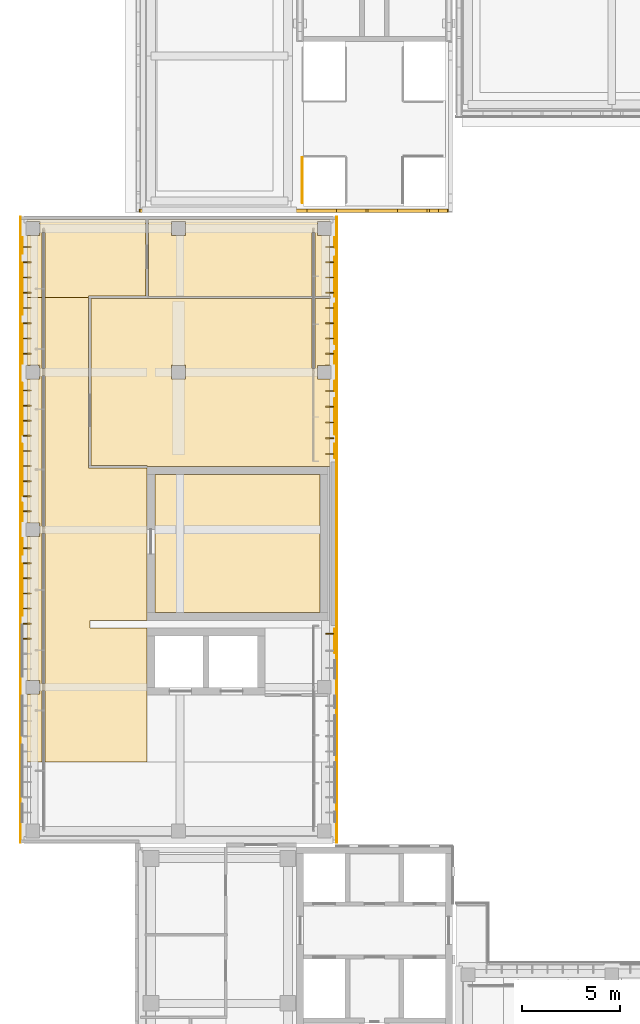
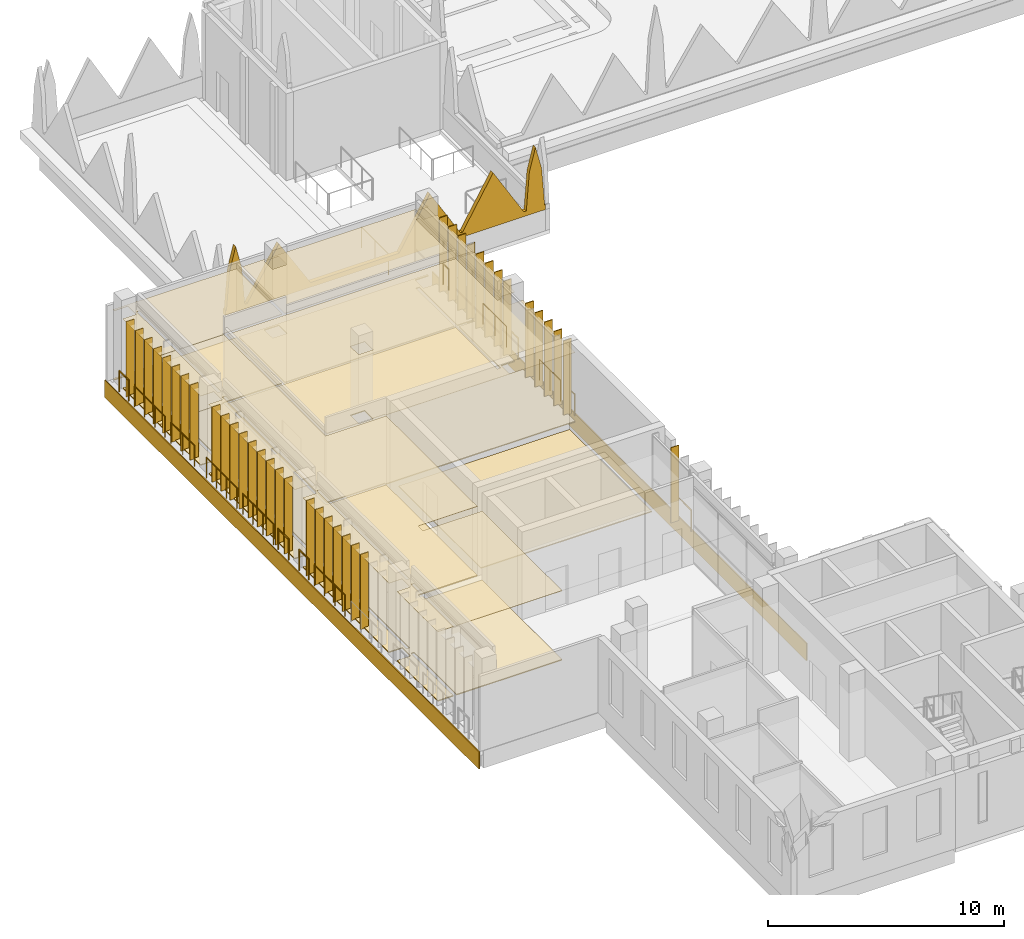
# One storey, part 36 of 46: 38 shading devices, 17 railings, 12 coverings.
"""IFC4 building model written with IfcOpenShell, lengths in metres."""

from ifc_helpers import new_model, si_unit, direction, frame, frame_2d, origin, origin_2d, place, context, subcontext, project, spatial, polyline, rectangle, circle, outline, extrude, material, layer, layer_set, type_object, element, save


model = new_model("IFC4")

# Units and contexts
model_context = context("Model", 3, precision=1e-05, world=origin(), true_north=direction((0.0, 1.0)))
body_context = subcontext(model_context, "Body", "Model", "MODEL_VIEW")
ifc_project = project(units=[si_unit("LENGTHUNIT", "METRE"), si_unit("AREAUNIT", "SQUARE_METRE"), si_unit("VOLUMEUNIT", "CUBIC_METRE"), si_unit("PLANEANGLEUNIT", "RADIAN"), si_unit("MASSUNIT", "GRAM", prefix="KILO")], contexts=[model_context])

# Site, building, storey
site_placement = place(None, origin())
site = spatial("IfcSite", under=ifc_project, at=site_placement, CompositionType="ELEMENT")
building_placement = place(site_placement, origin())
building = spatial("IfcBuilding", under=site, at=building_placement, Name="Lantern Court Media Centre", CompositionType="ELEMENT")
storey_placement = place(building_placement, frame((0.0, 0.0, 28.800048828125)))
storey = spatial("IfcBuildingStorey", under=building, at=storey_placement, Name="L06", CompositionType="ELEMENT", Elevation=28.800048828125)

# Coverings
ifc_material_1 = material(Name="Carpet")
ifc_layer_1 = layer(ifc_material_1, 0.050048828125)
ifc_layer_set_1 = layer_set([ifc_layer_1], Name="Carpet")
covering_type_1 = type_object("IfcCoveringType", Name="Carpet floor finish", PredefinedType="FLOORING", material=ifc_layer_set_1)
covering_1_placement = place(storey_placement, origin())
element("IfcCovering", 1, at=covering_1_placement, inside=storey, type_object=covering_type_1, Name="Cinema Club Bar floor finish", PredefinedType="FLOORING", context=body_context, shape_type="SweptSolid", body=[
    extrude(outline(polyline([(17.699951171875, 91.85498046875), (16.929931640625, 91.85498046875), (16.925048828125, 95.10498046875), (16.77001953125, 95.10009765625), (16.77001953125, 91.85498046875), (8.467529296875, 91.85498046875), (8.467529296875, 95.7548828125), (17.699951171875, 95.7548828125), (17.699951171875, 95.655029296875), (17.044921875, 95.64990234375), (17.04638671875, 94.946533203125), (17.699951171875, 94.945068359375), (17.699951171875, 91.85498046875)]), holes=[polyline([(10.35498046875, 95.64990234375), (9.646484375, 95.653564453125), (9.646484375, 94.946533203125), (10.353515625, 94.946533203125), (10.35498046875, 95.64990234375)])]), origin(), (0.0, 0.0, 1.0), 0.050048828125),
])
covering_2_placement = place(storey_placement, origin())
element("IfcCovering", 2, at=covering_2_placement, inside=storey, type_object=covering_type_1, Name="Film Archive floor finish", PredefinedType="FLOORING", context=body_context, shape_type="SweptSolid", body=[
    extrude(outline(polyline([(8.804931640625, 82.794921875), (17.195068359375, 82.794921875), (17.195068359375, 75.804931640625), (8.804931640625, 75.804931640625), (8.804931640625, 82.794921875)])), origin(), (0.0, 0.0, 1.0), 0.050048828125),
])
covering_3_placement = place(storey_placement, origin())
element("IfcCovering", 3, at=covering_3_placement, inside=storey, type_object=covering_type_1, Name="Premiere Lounge floor finish", PredefinedType="FLOORING", context=body_context, shape_type="SweptSolid", body=[
    extrude(outline(polyline([(17.699951171875, 83.199951171875), (8.405029296875, 83.205078125), (8.39990234375, 83.267578125), (5.5673828125, 83.267578125), (5.5673828125, 91.732421875), (16.77001953125, 91.7451171875), (16.77001953125, 88.199951171875), (16.925048828125, 88.195068359375), (16.929931640625, 91.7451171875), (17.699951171875, 91.7451171875), (17.699951171875, 88.35498046875), (17.044921875, 88.35009765625), (17.04638671875, 87.646484375), (17.699951171875, 87.64501953125), (17.699951171875, 83.199951171875)]), holes=[polyline([(10.35009765625, 87.64501953125), (10.353515625, 88.353515625), (9.646484375, 88.353515625), (9.646484375, 87.646484375), (10.35009765625, 87.64501953125)])]), origin(), (0.0, 0.0, 1.0), 0.050048828125),
])

# Railings
ifc_material_2 = material(Name="Powder-coated steel", Category="steel")
railing_type = type_object("IfcRailingType", Name="Floor edge guard 1100", PredefinedType="GUARDRAIL", material=ifc_material_2)
railing_1_placement = place(storey_placement, frame((16.2900390625, 96.60009765625, 0.0)))
element("IfcRailing", 4, at=railing_1_placement, inside=storey, type_object=railing_type, Name="L06 opening guard 157", PredefinedType="GUARDRAIL", context=body_context, shape_type="SweptSolid", body=[
    extrude(circle(Radius=0.02392578125, at=origin_2d()), frame((0.0, 0.0, 1.076171875), z_axis=(0.0, 1.0, 0.0), x_axis=(-1.0, 0.0, 0.0)), (0.0, 0.0, 1.0), 2.2998046875),
    extrude(circle(Radius=0.02099609375, at=origin_2d()), origin(), (0.0, 0.0, 1.0), 1.052001953125),
    extrude(circle(Radius=0.02099609375, at=origin_2d()), frame((0.0, 1.14990234375, 0.0)), (0.0, 0.0, 1.0), 1.052001953125),
    extrude(circle(Radius=0.02099609375, at=origin_2d()), frame((0.0, 2.2998046875, 0.0)), (0.0, 0.0, 1.0), 1.052001953125),
])
railing_2_placement = place(storey_placement, frame((2.06005859375, 75.64990234375, 0.0)))
element("IfcRailing", 5, at=railing_2_placement, inside=storey, type_object=railing_type, Name="L06 edge guard 211", PredefinedType="GUARDRAIL", context=body_context, shape_type="SweptSolid", body=[
    extrude(circle(Radius=0.02392578125, at=origin_2d()), frame((0.0, 0.0, 1.076171875), z_axis=(0.0, 1.0, 0.0), x_axis=(-1.0, 0.0, 0.0)), (0.0, 0.0, 1.0), 2.59814453125),
    extrude(circle(Radius=0.02099609375, at=origin_2d()), origin(), (0.0, 0.0, 1.0), 1.052001953125),
    extrude(circle(Radius=0.02099609375, at=origin_2d()), frame((0.0, 0.865966796875, 0.0)), (0.0, 0.0, 1.0), 1.052001953125),
    extrude(circle(Radius=0.02099609375, at=origin_2d()), frame((0.0, 1.732177734375, 0.0)), (0.0, 0.0, 1.0), 1.052001953125),
    extrude(circle(Radius=0.02099609375, at=origin_2d()), frame((0.0, 2.59814453125, 0.0)), (0.0, 0.0, 1.0), 1.052001953125),
])
railing_3_placement = place(storey_placement, frame((2.06005859375, 78.748046875, 0.0)))
element("IfcRailing", 6, at=railing_3_placement, inside=storey, type_object=railing_type, Name="L06 edge guard 212", PredefinedType="GUARDRAIL", context=body_context, shape_type="SweptSolid", body=[
    extrude(circle(Radius=0.02392578125, at=origin_2d()), frame((0.0, 0.0, 1.076171875), z_axis=(0.0, 1.0, 0.0), x_axis=(-1.0, 0.0, 0.0)), (0.0, 0.0, 1.0), 0.799072265625),
    extrude(circle(Radius=0.02099609375, at=origin_2d()), origin(), (0.0, 0.0, 1.0), 1.052001953125),
    extrude(circle(Radius=0.02099609375, at=origin_2d()), frame((0.0, 0.799072265625, 0.0)), (0.0, 0.0, 1.0), 1.052001953125),
])
railing_4_placement = place(storey_placement, frame((2.06005859375, 80.446044921875, 0.0)))
element("IfcRailing", 7, at=railing_4_placement, inside=storey, type_object=railing_type, Name="L06 edge guard 213", PredefinedType="GUARDRAIL", context=body_context, shape_type="SweptSolid", body=[
    extrude(circle(Radius=0.02392578125, at=origin_2d()), frame((0.0, 0.0, 1.076171875), z_axis=(0.0, 1.0, 0.0), x_axis=(-1.0, 0.0, 0.0)), (0.0, 0.0, 1.0), 0.89892578125),
    extrude(circle(Radius=0.02099609375, at=origin_2d()), origin(), (0.0, 0.0, 1.0), 1.052001953125),
    extrude(circle(Radius=0.02099609375, at=origin_2d()), frame((0.0, 0.89892578125, 0.0)), (0.0, 0.0, 1.0), 1.052001953125),
])
for number, where, name in (
    (8, (2.06005859375, 81.7451171875, 0.0), "L06 edge guard 214"),
    (9, (2.06005859375, 84.842041015625, 0.0), "L06 edge guard 215"),
):
    element("IfcRailing", number, at=place(storey_placement, frame(where)), inside=storey, type_object=railing_type, Name=name, PredefinedType="GUARDRAIL", context=body_context, shape_type="SweptSolid", body=[
        extrude(circle(Radius=0.02392578125, at=origin_2d()), frame((0.0, 0.0, 1.076171875), z_axis=(0.0, 1.0, 0.0), x_axis=(-1.0, 0.0, 0.0)), (0.0, 0.0, 1.0), 2.597900390625),
        extrude(circle(Radius=0.02099609375, at=origin_2d()), origin(), (0.0, 0.0, 1.0), 1.052001953125),
        extrude(circle(Radius=0.02099609375, at=origin_2d()), frame((0.0, 0.865966796875, 0.0)), (0.0, 0.0, 1.0), 1.052001953125),
        extrude(circle(Radius=0.02099609375, at=origin_2d()), frame((0.0, 1.73193359375, 0.0)), (0.0, 0.0, 1.0), 1.052001953125),
        extrude(circle(Radius=0.02099609375, at=origin_2d()), frame((0.0, 2.597900390625, 0.0)), (0.0, 0.0, 1.0), 1.052001953125),
    ])
railing_5_placement = place(storey_placement, frame((2.06005859375, 88.43896484375, 0.0)))
element("IfcRailing", 10, at=railing_5_placement, inside=storey, type_object=railing_type, Name="L06 edge guard 216", PredefinedType="GUARDRAIL", context=body_context, shape_type="SweptSolid", body=[
    extrude(circle(Radius=0.02392578125, at=origin_2d()), frame((0.0, 0.0, 1.076171875), z_axis=(0.0, 1.0, 0.0), x_axis=(-1.0, 0.0, 0.0)), (0.0, 0.0, 1.0), 1.9990234375),
    extrude(circle(Radius=0.02099609375, at=origin_2d()), origin(), (0.0, 0.0, 1.0), 1.052001953125),
    extrude(circle(Radius=0.02099609375, at=origin_2d()), frame((0.0, 0.99951171875, 0.0)), (0.0, 0.0, 1.0), 1.052001953125),
    extrude(circle(Radius=0.02099609375, at=origin_2d()), frame((0.0, 1.9990234375, 0.0)), (0.0, 0.0, 1.0), 1.052001953125),
])
railing_6_placement = place(storey_placement, frame((2.06005859375, 90.93701171875, 0.0)))
element("IfcRailing", 11, at=railing_6_placement, inside=storey, type_object=railing_type, Name="L06 edge guard 217", PredefinedType="GUARDRAIL", context=body_context, shape_type="SweptSolid", body=[
    extrude(circle(Radius=0.02392578125, at=origin_2d()), frame((0.0, 0.0, 1.076171875), z_axis=(0.0, 1.0, 0.0), x_axis=(-1.0, 0.0, 0.0)), (0.0, 0.0, 1.0), 2.597900390625),
    extrude(circle(Radius=0.02099609375, at=origin_2d()), origin(), (0.0, 0.0, 1.0), 1.052001953125),
    extrude(circle(Radius=0.02099609375, at=origin_2d()), frame((0.0, 0.865966796875, 0.0)), (0.0, 0.0, 1.0), 1.052001953125),
    extrude(circle(Radius=0.02099609375, at=origin_2d()), frame((0.0, 1.73193359375, 0.0)), (0.0, 0.0, 1.0), 1.052001953125),
    extrude(circle(Radius=0.02099609375, at=origin_2d()), frame((0.0, 2.597900390625, 0.0)), (0.0, 0.0, 1.0), 1.052001953125),
])
railing_7_placement = place(storey_placement, frame((2.06005859375, 94.034912109375, 0.0)))
element("IfcRailing", 12, at=railing_7_placement, inside=storey, type_object=railing_type, Name="L06 edge guard 218", PredefinedType="GUARDRAIL", context=body_context, shape_type="SweptSolid", body=[
    extrude(circle(Radius=0.02392578125, at=origin_2d()), frame((0.0, 0.0, 1.076171875), z_axis=(0.0, 1.0, 0.0), x_axis=(-1.0, 0.0, 0.0)), (0.0, 0.0, 1.0), 0.799072265625),
    extrude(circle(Radius=0.02099609375, at=origin_2d()), origin(), (0.0, 0.0, 1.0), 1.052001953125),
    extrude(circle(Radius=0.02099609375, at=origin_2d()), frame((0.0, 0.799072265625, 0.0)), (0.0, 0.0, 1.0), 1.052001953125),
])
railing_8_placement = place(storey_placement, frame((17.93994140625, 94.841064453125, 0.0)))
element("IfcRailing", 13, at=railing_8_placement, inside=storey, type_object=railing_type, Name="L06 edge guard 219", PredefinedType="GUARDRAIL", context=body_context, shape_type="SweptSolid", body=[
    extrude(circle(Radius=0.02392578125, at=origin_2d()), frame((0.0, 0.0, 1.076171875), z_axis=(0.0, -1.0, 0.0), x_axis=(1.0, 0.0, 0.0)), (0.0, 0.0, 1.0), 0.5),
    extrude(circle(Radius=0.02099609375, at=origin_2d()), origin(), (0.0, 0.0, 1.0), 1.052001953125),
    extrude(circle(Radius=0.02099609375, at=origin_2d()), frame((0.0, -0.5, 0.0)), (0.0, 0.0, 1.0), 1.052001953125),
])
for number, where, name in (
    (14, (17.93994140625, 93.842041015625, 0.0), "L06 edge guard 220"),
    (15, (17.93994140625, 91.444091796875, 0.0), "L06 edge guard 221"),
):
    element("IfcRailing", number, at=place(storey_placement, frame(where)), inside=storey, type_object=railing_type, Name=name, PredefinedType="GUARDRAIL", context=body_context, shape_type="SweptSolid", body=[
        extrude(circle(Radius=0.02392578125, at=origin_2d()), frame((0.0, 0.0, 1.076171875), z_axis=(0.0, -1.0, 0.0), x_axis=(1.0, 0.0, 0.0)), (0.0, 0.0, 1.0), 1.9990234375),
        extrude(circle(Radius=0.02099609375, at=origin_2d()), origin(), (0.0, 0.0, 1.0), 1.052001953125),
        extrude(circle(Radius=0.02099609375, at=origin_2d()), frame((0.0, -0.99951171875, 0.0)), (0.0, 0.0, 1.0), 1.052001953125),
        extrude(circle(Radius=0.02099609375, at=origin_2d()), frame((0.0, -1.9990234375, 0.0)), (0.0, 0.0, 1.0), 1.052001953125),
    ])
railing_9_placement = place(storey_placement, frame((17.93994140625, 89.0458984375, 0.0)))
element("IfcRailing", 16, at=railing_9_placement, inside=storey, type_object=railing_type, Name="L06 edge guard 222", PredefinedType="GUARDRAIL", context=body_context, shape_type="SweptSolid", body=[
    extrude(circle(Radius=0.02392578125, at=origin_2d()), frame((0.0, 0.0, 1.076171875), z_axis=(0.0, -1.0, 0.0), x_axis=(1.0, 0.0, 0.0)), (0.0, 0.0, 1.0), 0.599853515625),
    extrude(circle(Radius=0.02099609375, at=origin_2d()), origin(), (0.0, 0.0, 1.0), 1.052001953125),
    extrude(circle(Radius=0.02099609375, at=origin_2d()), frame((0.0, -0.599853515625, 0.0)), (0.0, 0.0, 1.0), 1.052001953125),
])
railing_10_placement = place(storey_placement, frame((17.93994140625, 87.547119140625, 0.0)))
element("IfcRailing", 17, at=railing_10_placement, inside=storey, type_object=railing_type, Name="L06 edge guard 223", PredefinedType="GUARDRAIL", context=body_context, shape_type="SweptSolid", body=[
    extrude(circle(Radius=0.02392578125, at=origin_2d()), frame((0.0, 0.0, 1.076171875), z_axis=(0.0, -1.0, 0.0), x_axis=(1.0, 0.0, 0.0)), (0.0, 0.0, 1.0), 0.5),
    extrude(circle(Radius=0.02099609375, at=origin_2d()), origin(), (0.0, 0.0, 1.0), 1.052001953125),
    extrude(circle(Radius=0.02099609375, at=origin_2d()), frame((0.0, -0.5, 0.0)), (0.0, 0.0, 1.0), 1.052001953125),
])
railing_11_placement = place(storey_placement, frame((17.93994140625, 86.64794921875, 0.0)))
element("IfcRailing", 18, at=railing_11_placement, inside=storey, type_object=railing_type, Name="L06 edge guard 224", PredefinedType="GUARDRAIL", context=body_context, shape_type="SweptSolid", body=[
    extrude(circle(Radius=0.02392578125, at=origin_2d()), frame((0.0, 0.0, 1.076171875), z_axis=(0.0, -1.0, 0.0), x_axis=(1.0, 0.0, 0.0)), (0.0, 0.0, 1.0), 1.798828125),
    extrude(circle(Radius=0.02099609375, at=origin_2d()), origin(), (0.0, 0.0, 1.0), 1.052001953125),
    extrude(circle(Radius=0.02099609375, at=origin_2d()), frame((0.0, -0.8994140625, 0.0)), (0.0, 0.0, 1.0), 1.052001953125),
    extrude(circle(Radius=0.02099609375, at=origin_2d()), frame((0.0, -1.798828125, 0.0)), (0.0, 0.0, 1.0), 1.052001953125),
])
railing_12_placement = place(storey_placement, frame((17.93994140625, 84.35009765625, 0.0)))
element("IfcRailing", 19, at=railing_12_placement, inside=storey, type_object=railing_type, Name="L06 edge guard 225", PredefinedType="GUARDRAIL", context=body_context, shape_type="SweptSolid", body=[
    extrude(circle(Radius=0.02392578125, at=origin_2d()), frame((0.0, 0.0, 1.076171875), z_axis=(0.0, -1.0, 0.0), x_axis=(1.0, 0.0, 0.0)), (0.0, 0.0, 1.0), 0.7001953125),
    extrude(circle(Radius=0.02099609375, at=origin_2d()), origin(), (0.0, 0.0, 1.0), 1.052001953125),
    extrude(circle(Radius=0.02099609375, at=origin_2d()), frame((0.0, -0.7001953125, 0.0)), (0.0, 0.0, 1.0), 1.052001953125),
])
railing_13_placement = place(storey_placement, frame((17.93994140625, 74.9580078125, 0.0)))
element("IfcRailing", 20, at=railing_13_placement, inside=storey, type_object=railing_type, Name="L06 edge guard 226", PredefinedType="GUARDRAIL", context=body_context, shape_type="SweptSolid", body=[
    extrude(circle(Radius=0.02392578125, at=origin_2d()), frame((0.0, 0.0, 1.076171875), z_axis=(0.0, -1.0, 0.0), x_axis=(1.0, 0.0, 0.0)), (0.0, 0.0, 1.0), 1.198974609375),
    extrude(circle(Radius=0.02099609375, at=origin_2d()), origin(), (0.0, 0.0, 1.0), 1.052001953125),
    extrude(circle(Radius=0.02099609375, at=origin_2d()), frame((0.0, -1.198974609375, 0.0)), (0.0, 0.0, 1.0), 1.052001953125),
])

# Coverings
ifc_material_3 = material(Name="White glass-fibre reinforced cement cladding", Category="concrete")
ifc_layer_2 = layer(ifc_material_3, 0.050048828125)
ifc_layer_set_2 = layer_set([ifc_layer_2], Name="White glass-fibre reinforced cement cladding")
covering_type_2 = type_object("IfcCoveringType", Name="Floor-edge band 50", PredefinedType="CLADDING", material=ifc_layer_set_2)
for number, where, z_axis, x_axis, name in (
    (21, (1.97509765625, 64.10009765625, -0.900146484375), (0.0, 0.0, 1.0), (0.0, 1.0, 0.0), "Floor-edge band W outer L06"),
    (22, (18.02490234375, 64.10009765625, -0.900146484375), (0.0, 0.0, 1.0), (0.0, 1.0, 0.0), "Floor-edge band W inner L06"),
):
    element("IfcCovering", number, at=place(storey_placement, frame(where, z_axis=z_axis, x_axis=x_axis)), inside=storey, type_object=covering_type_2, Name=name, PredefinedType="CLADDING", context=body_context, shape_type="SweptSolid", body=[
        extrude(rectangle(XDim=31.7998046875, YDim=0.050048828125, at=frame_2d((15.89990234375, 0.0))), origin(), (0.0, 0.0, 1.0), 0.900146484375),
    ])
ifc_material_4 = material(Name="Honed limestone cladding on blockwork", Category="masonry")
ifc_layer_3 = layer(ifc_material_4, 0.199951171875)
ifc_layer_set_3 = layer_set([ifc_layer_3], Name="Honed limestone cladding on blockwork")
covering_type_3 = type_object("IfcCoveringType", Name="Limestone cresting 200", PredefinedType="CLADDING", material=ifc_layer_set_3)
covering_4_placement = place(storey_placement, frame((8.0, 96.199951171875, 1.099853515625), z_axis=(0.0, 0.0, 1.0), x_axis=(1.0, 0.0, 0.0)))
element("IfcCovering", 23, at=covering_4_placement, inside=storey, type_object=covering_type_3, Name="Parapet cresting", PredefinedType="CLADDING", context=body_context, shape_type="SweptSolid", body=[
    extrude(outline(polyline([(0.0, 0.0), (15.699951171875, 0.0), (15.699951171875, 0.25), (15.64990234375, 0.25), (15.5, 2.210205078125), (15.199951171875, 3.400146484375), (14.89990234375, 2.210205078125), (14.75, 0.25), (14.6298828125, 0.25), (13.12744140625, 2.800048828125), (11.625, 0.25), (11.52490234375, 0.25), (10.0224609375, 2.800048828125), (8.52001953125, 0.25), (4.175048828125, 0.25), (2.62255859375, 2.800048828125), (1.070068359375, 0.25), (0.949951171875, 0.25), (0.800048828125, 2.210205078125), (0.5, 3.400146484375), (0.199951171875, 2.210205078125), (0.050048828125, 0.25), (0.0, 0.25), (0.0, 0.0)])), frame((0.0, 0.10009765625, 0.0), z_axis=(0.0, -1.0, 0.0), x_axis=(1.0, 0.0, 0.0)), (0.0, 0.0, 1.0), 0.199951171875),
])
ifc_material_5 = material(Name="Mineral fibre ceiling tile")
ifc_layer_4 = layer(ifc_material_5, 0.02001953125)
ifc_layer_set_4 = layer_set([ifc_layer_4], Name="Mineral fibre ceiling tile")
covering_type_4 = type_object("IfcCoveringType", Name="Suspended ceiling tile", PredefinedType="CEILING", material=ifc_layer_set_4)
covering_5_placement = place(storey_placement, frame((0.0, 0.0, 3.599853515625)))
element("IfcCovering", 24, at=covering_5_placement, inside=storey, type_object=covering_type_4, Name="Cinema Club Bar ceiling", PredefinedType="CEILING", context=body_context, shape_type="SweptSolid", body=[
    extrude(outline(polyline([(17.699951171875, 91.8505859375), (16.929931640625, 91.8505859375), (16.925537109375, 91.800048828125), (16.925048828125, 95.1005859375), (16.7744140625, 95.10009765625), (16.7744140625, 91.800048828125), (16.77001953125, 91.8505859375), (8.462890625, 91.8505859375), (8.462890625, 95.7548828125), (8.39990234375, 95.759521484375), (17.699951171875, 95.759521484375), (17.699951171875, 95.650390625), (17.049560546875, 95.64990234375), (17.049560546875, 94.94970703125), (17.699951171875, 94.949462890625), (17.699951171875, 91.8505859375)]), holes=[polyline([(9.64990234375, 95.650390625), (9.649658203125, 94.94970703125), (10.350341796875, 94.94970703125), (10.350341796875, 95.650390625), (9.64990234375, 95.650390625)])]), origin(), (0.0, 0.0, 1.0), 0.02001953125),
])
covering_6_placement = place(storey_placement, frame((0.0, 0.0, 3.599853515625)))
element("IfcCovering", 25, at=covering_6_placement, inside=storey, type_object=covering_type_4, Name="End Lobby ceiling", PredefinedType="CEILING", context=body_context, shape_type="SweptSolid", body=[
    extrude(outline(polyline([(8.39990234375, 95.755615234375), (8.3369140625, 95.7548828125), (8.3369140625, 91.863037109375), (5.4375, 91.863037109375), (5.43701171875, 91.800048828125), (3.2255859375, 91.800048828125), (3.2255859375, 95.10009765625), (3.074951171875, 95.1005859375), (3.074462890625, 91.800048828125), (2.300048828125, 91.800048828125), (2.300048828125, 94.949462890625), (2.950439453125, 94.949951171875), (2.950439453125, 95.650390625), (2.300048828125, 95.650390625), (2.300048828125, 95.759521484375), (8.39990234375, 95.755615234375)])), origin(), (0.0, 0.0, 1.0), 0.02001953125),
])
covering_7_placement = place(storey_placement, frame((0.0, 0.0, 3.599853515625)))
element("IfcCovering", 26, at=covering_7_placement, inside=storey, type_object=covering_type_4, Name="Premiere Lounge ceiling", PredefinedType="CEILING", context=body_context, shape_type="SweptSolid", body=[
    extrude(outline(polyline([(17.699951171875, 83.199951171875), (8.400390625, 83.200439453125), (8.39990234375, 83.262939453125), (5.56298828125, 83.262939453125), (5.56298828125, 91.737060546875), (16.77001953125, 91.74951171875), (16.7744140625, 91.800048828125), (16.7744140625, 88.199951171875), (16.925048828125, 88.199462890625), (16.925537109375, 91.800048828125), (16.929931640625, 91.74951171875), (17.699951171875, 91.74951171875), (17.699951171875, 88.3505859375), (17.049560546875, 88.35009765625), (17.049560546875, 87.649658203125), (17.699951171875, 87.6494140625), (17.699951171875, 83.199951171875)]), holes=[polyline([(10.3505859375, 88.35009765625), (9.649658203125, 88.350341796875), (9.649658203125, 87.649658203125), (10.350341796875, 87.649658203125), (10.3505859375, 88.35009765625)])]), origin(), (0.0, 0.0, 1.0), 0.02001953125),
])
covering_8_placement = place(storey_placement, frame((0.0, 0.0, 3.599853515625)))
element("IfcCovering", 27, at=covering_8_placement, inside=storey, type_object=covering_type_4, Name="Premiere Lounge Foyer ceiling", PredefinedType="CEILING", context=body_context, shape_type="SweptSolid", body=[
    extrude(outline(polyline([(5.5, 75.39990234375), (5.5, 75.0), (8.3994140625, 75.0), (8.39990234375, 68.199951171875), (3.2255859375, 68.199951171875), (3.22509765625, 71.800537109375), (3.074462890625, 71.800048828125), (3.074462890625, 68.199951171875), (2.300048828125, 68.199951171875), (2.300048828125, 71.6494140625), (2.950439453125, 71.64990234375), (2.950439453125, 72.350341796875), (2.300048828125, 72.3505859375), (2.300048828125, 79.6494140625), (2.950439453125, 79.64990234375), (2.950439453125, 80.350341796875), (2.300048828125, 80.3505859375), (2.300048828125, 87.6494140625), (2.950439453125, 87.64990234375), (2.950439453125, 88.350341796875), (2.300048828125, 88.3505859375), (2.300048828125, 91.800048828125), (3.074462890625, 91.800048828125), (3.074951171875, 88.199462890625), (3.2255859375, 88.199951171875), (3.2255859375, 91.800048828125), (5.43701171875, 91.800048828125), (5.43701171875, 83.137451171875), (8.3994140625, 83.136962890625), (8.3994140625, 75.39990234375), (5.5, 75.39990234375)]), holes=[polyline([(3.22509765625, 72.199462890625), (3.2255859375, 79.800048828125), (3.074951171875, 79.800537109375), (3.074462890625, 72.199951171875), (3.22509765625, 72.199462890625)]), polyline([(3.2255859375, 87.800048828125), (3.074462890625, 87.800048828125), (3.074951171875, 80.199462890625), (3.2255859375, 80.199951171875), (3.2255859375, 87.800048828125)])]), origin(), (0.0, 0.0, 1.0), 0.02001953125),
])
ifc_material_6 = material(Name="Terrazzo")
ifc_layer_5 = layer(ifc_material_6, 0.050048828125)
ifc_layer_set_5 = layer_set([ifc_layer_5], Name="Terrazzo")
covering_type_5 = type_object("IfcCoveringType", Name="Terrazzo floor finish", PredefinedType="FLOORING", material=ifc_layer_set_5)
covering_9_placement = place(storey_placement, origin())
element("IfcCovering", 28, at=covering_9_placement, inside=storey, type_object=covering_type_5, Name="End Lobby floor finish", PredefinedType="FLOORING", context=body_context, shape_type="SweptSolid", body=[
    extrude(outline(polyline([(2.300048828125, 95.7548828125), (8.33251953125, 95.7548828125), (8.33251953125, 91.867431640625), (5.4375, 91.867431640625), (5.4326171875, 91.800048828125), (3.22998046875, 91.800048828125), (3.22998046875, 95.10009765625), (3.074951171875, 95.10498046875), (3.070068359375, 91.800048828125), (2.300048828125, 91.800048828125), (2.300048828125, 94.945068359375), (2.955078125, 94.949951171875), (2.953857421875, 95.653076171875), (2.300048828125, 95.655029296875), (2.300048828125, 95.7548828125)])), origin(), (0.0, 0.0, 1.0), 0.050048828125),
])
covering_10_placement = place(storey_placement, origin())
element("IfcCovering", 29, at=covering_10_placement, inside=storey, type_object=covering_type_5, Name="Premiere Lounge Foyer floor finish", PredefinedType="FLOORING", context=body_context, shape_type="SweptSolid", body=[
    extrude(outline(polyline([(5.5, 75.39990234375), (5.5, 75.0), (8.39501953125, 75.0), (8.39990234375, 68.199951171875), (3.22998046875, 68.199951171875), (3.22509765625, 71.804931640625), (3.070068359375, 71.800048828125), (3.070068359375, 68.199951171875), (2.300048828125, 68.199951171875), (2.300048828125, 71.64501953125), (2.955078125, 71.64990234375), (2.95361328125, 72.353515625), (2.300048828125, 72.35498046875), (2.300048828125, 79.64501953125), (2.955078125, 79.64990234375), (2.95361328125, 80.353515625), (2.300048828125, 80.35498046875), (2.300048828125, 87.64501953125), (2.955078125, 87.64990234375), (2.95361328125, 88.353515625), (2.300048828125, 88.35498046875), (2.300048828125, 91.800048828125), (3.070068359375, 91.800048828125), (3.074951171875, 88.195068359375), (3.22998046875, 88.199951171875), (3.22998046875, 91.800048828125), (5.4326171875, 91.800048828125), (5.4326171875, 83.135986328125), (8.39501953125, 83.132568359375), (8.39501953125, 75.39990234375), (5.5, 75.39990234375)]), holes=[polyline([(3.22998046875, 87.800048828125), (3.070068359375, 87.800048828125), (3.074951171875, 80.195068359375), (3.22998046875, 80.199951171875), (3.22998046875, 87.800048828125)]), polyline([(3.22509765625, 72.195068359375), (3.22998046875, 79.800048828125), (3.074951171875, 79.804931640625), (3.070068359375, 72.199951171875), (3.22509765625, 72.195068359375)])]), origin(), (0.0, 0.0, 1.0), 0.050048828125),
])

# Shading devices
ifc_material_7 = material(Name="Bronze anodised aluminium louvre", Category="aluminium")
ifc_layer_6 = layer(ifc_material_7, 0.0400390625)
ifc_layer_set_6 = layer_set([ifc_layer_6], Name="Bronze anodised aluminium louvre")
shading_device_type = type_object("IfcShadingDeviceType", Name="Vertical louvre 40x400 under beam", PredefinedType="USERDEFINED", material=ifc_layer_set_6)
for number, where, z_axis, x_axis, name in (
    (30, (2.320068359375, 74.466552734375, 0.0), (0.0, 0.0, 1.0), (1.0, 0.0, 0.0), "Vertical louvre W outer L06"),
    (31, (2.320068359375, 75.2333984375, 0.0), (0.0, 0.0, 1.0), (1.0, 0.0, 0.0), "Vertical louvre W outer L06"),
    (32, (2.320068359375, 76.0, 0.0), (0.0, 0.0, 1.0), (1.0, 0.0, 0.0), "Vertical louvre W outer L06"),
    (33, (2.320068359375, 76.7666015625, 0.0), (0.0, 0.0, 1.0), (1.0, 0.0, 0.0), "Vertical louvre W outer L06"),
    (34, (2.320068359375, 77.533447265625, 0.0), (0.0, 0.0, 1.0), (1.0, 0.0, 0.0), "Vertical louvre W outer L06"),
    (35, (2.320068359375, 78.300048828125, 0.0), (0.0, 0.0, 1.0), (1.0, 0.0, 0.0), "Vertical louvre W outer L06"),
    (36, (2.320068359375, 79.066650390625, 0.0), (0.0, 0.0, 1.0), (1.0, 0.0, 0.0), "Vertical louvre W outer L06"),
    (37, (2.320068359375, 80.933349609375, 0.0), (0.0, 0.0, 1.0), (1.0, 0.0, 0.0), "Vertical louvre W outer L06"),
    (38, (2.320068359375, 81.699951171875, 0.0), (0.0, 0.0, 1.0), (1.0, 0.0, 0.0), "Vertical louvre W outer L06"),
    (39, (2.320068359375, 82.466552734375, 0.0), (0.0, 0.0, 1.0), (1.0, 0.0, 0.0), "Vertical louvre W outer L06"),
    (40, (2.320068359375, 83.2333984375, 0.0), (0.0, 0.0, 1.0), (1.0, 0.0, 0.0), "Vertical louvre W outer L06"),
    (41, (2.320068359375, 84.0, 0.0), (0.0, 0.0, 1.0), (1.0, 0.0, 0.0), "Vertical louvre W outer L06"),
    (42, (2.320068359375, 84.7666015625, 0.0), (0.0, 0.0, 1.0), (1.0, 0.0, 0.0), "Vertical louvre W outer L06"),
    (43, (2.320068359375, 85.533447265625, 0.0), (0.0, 0.0, 1.0), (1.0, 0.0, 0.0), "Vertical louvre W outer L06"),
    (44, (2.320068359375, 86.300048828125, 0.0), (0.0, 0.0, 1.0), (1.0, 0.0, 0.0), "Vertical louvre W outer L06"),
    (45, (2.320068359375, 87.066650390625, 0.0), (0.0, 0.0, 1.0), (1.0, 0.0, 0.0), "Vertical louvre W outer L06"),
    (46, (2.320068359375, 88.9375, 0.0), (0.0, 0.0, 1.0), (1.0, 0.0, 0.0), "Vertical louvre W outer L06"),
    (47, (2.320068359375, 89.71240234375, 0.0), (0.0, 0.0, 1.0), (1.0, 0.0, 0.0), "Vertical louvre W outer L06"),
    (48, (2.320068359375, 90.487548828125, 0.0), (0.0, 0.0, 1.0), (1.0, 0.0, 0.0), "Vertical louvre W outer L06"),
    (49, (2.320068359375, 91.262451171875, 0.0), (0.0, 0.0, 1.0), (1.0, 0.0, 0.0), "Vertical louvre W outer L06"),
    (50, (2.320068359375, 92.03759765625, 0.0), (0.0, 0.0, 1.0), (1.0, 0.0, 0.0), "Vertical louvre W outer L06"),
    (51, (2.320068359375, 92.8125, 0.0), (0.0, 0.0, 1.0), (1.0, 0.0, 0.0), "Vertical louvre W outer L06"),
    (52, (2.320068359375, 93.58740234375, 0.0), (0.0, 0.0, 1.0), (1.0, 0.0, 0.0), "Vertical louvre W outer L06"),
    (53, (2.320068359375, 94.362548828125, 0.0), (0.0, 0.0, 1.0), (1.0, 0.0, 0.0), "Vertical louvre W outer L06"),
    (54, (17.679931640625, 74.716552734375, 0.0), (0.0, 0.0, 1.0), (1.0, 0.0, 0.0), "Vertical louvre W inner L06"),
    (55, (17.679931640625, 83.85009765625, 0.0), (0.0, 0.0, 1.0), (1.0, 0.0, 0.0), "Vertical louvre W inner L06"),
    (56, (17.679931640625, 84.64990234375, 0.0), (0.0, 0.0, 1.0), (1.0, 0.0, 0.0), "Vertical louvre W inner L06"),
    (57, (17.679931640625, 85.449951171875, 0.0), (0.0, 0.0, 1.0), (1.0, 0.0, 0.0), "Vertical louvre W inner L06"),
    (58, (17.679931640625, 86.25, 0.0), (0.0, 0.0, 1.0), (1.0, 0.0, 0.0), "Vertical louvre W inner L06"),
    (59, (17.679931640625, 87.050048828125, 0.0), (0.0, 0.0, 1.0), (1.0, 0.0, 0.0), "Vertical louvre W inner L06"),
    (60, (17.679931640625, 88.9375, 0.0), (0.0, 0.0, 1.0), (1.0, 0.0, 0.0), "Vertical louvre W inner L06"),
    (61, (17.679931640625, 89.71240234375, 0.0), (0.0, 0.0, 1.0), (1.0, 0.0, 0.0), "Vertical louvre W inner L06"),
    (62, (17.679931640625, 90.487548828125, 0.0), (0.0, 0.0, 1.0), (1.0, 0.0, 0.0), "Vertical louvre W inner L06"),
    (63, (17.679931640625, 91.262451171875, 0.0), (0.0, 0.0, 1.0), (1.0, 0.0, 0.0), "Vertical louvre W inner L06"),
    (64, (17.679931640625, 92.03759765625, 0.0), (0.0, 0.0, 1.0), (1.0, 0.0, 0.0), "Vertical louvre W inner L06"),
    (65, (17.679931640625, 92.8125, 0.0), (0.0, 0.0, 1.0), (1.0, 0.0, 0.0), "Vertical louvre W inner L06"),
    (66, (17.679931640625, 93.58740234375, 0.0), (0.0, 0.0, 1.0), (1.0, 0.0, 0.0), "Vertical louvre W inner L06"),
    (67, (17.679931640625, 94.362548828125, 0.0), (0.0, 0.0, 1.0), (1.0, 0.0, 0.0), "Vertical louvre W inner L06"),
):
    element("IfcShadingDevice", number, at=place(storey_placement, frame(where, z_axis=z_axis, x_axis=x_axis)), inside=storey, type_object=shading_device_type, Name=name, ObjectType="VERTICAL LOUVRE", PredefinedType="USERDEFINED", context=body_context, shape_type="SweptSolid", body=[
        extrude(rectangle(XDim=0.39990234375, YDim=0.0400390625, at=origin_2d()), origin(), (0.0, 0.0, 1.0), 3.89990234375),
    ])

save(model, "model.ifc")
